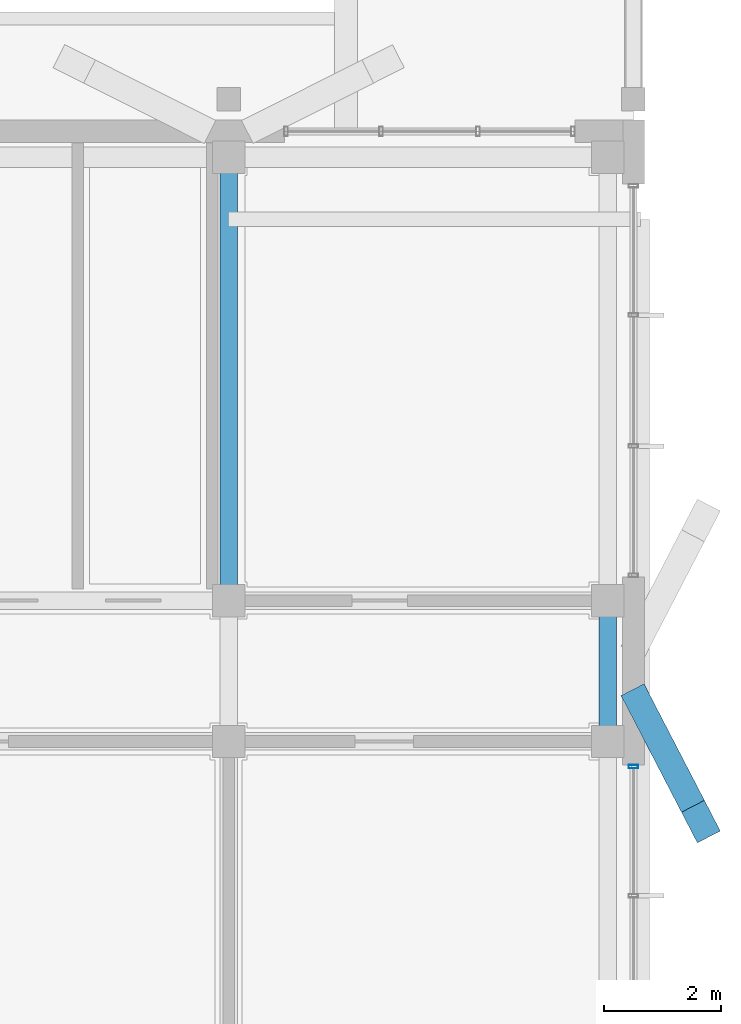
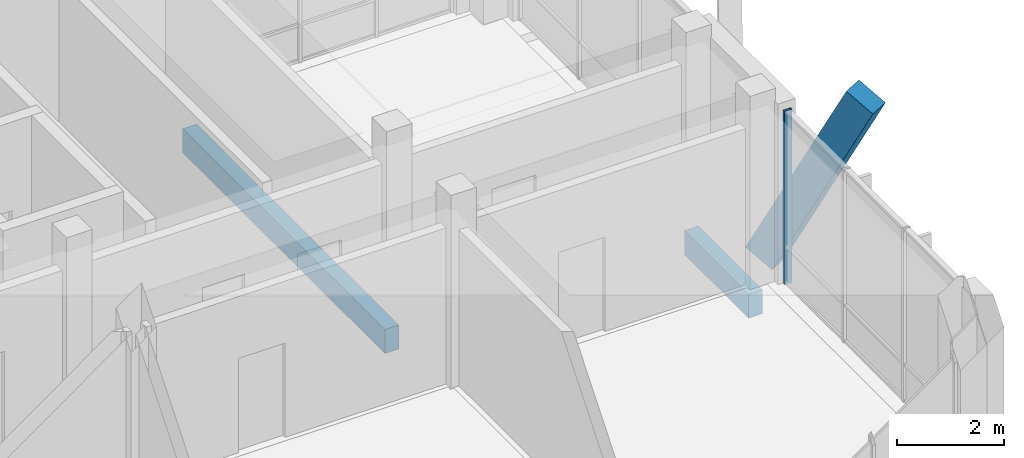
# One storey, part 145 of 233: 2 beams, 2 members, 1 element without a shape of its own.
"""IFC4 building model written with IfcOpenShell, lengths in metres."""

from ifc_helpers import new_model, si_unit, direction, frame, origin, origin_2d, place, context, subcontext, project, spatial, rectangle, hollow_rectangle, extrude, material, material_profile, profile_set, type_object, element, aggregate, save


model = new_model("IFC4")

# Units and contexts
model_context = context("Model", 3, precision=1e-05, world=origin(), true_north=direction((0.0, 1.0)))
body_context = subcontext(model_context, "Body", "Model", "MODEL_VIEW")
ifc_project = project(units=[si_unit("LENGTHUNIT", "METRE"), si_unit("AREAUNIT", "SQUARE_METRE"), si_unit("VOLUMEUNIT", "CUBIC_METRE"), si_unit("PLANEANGLEUNIT", "RADIAN"), si_unit("MASSUNIT", "GRAM", prefix="KILO")], contexts=[model_context])

# Site, building, storey
site_placement = place(None, origin())
site = spatial("IfcSite", under=ifc_project, at=site_placement, CompositionType="ELEMENT")
building_placement = place(site_placement, origin())
building = spatial("IfcBuilding", under=site, at=building_placement, Name="Zavelmont Quarter", CompositionType="ELEMENT")
storey_placement = place(building_placement, origin())
storey = spatial("IfcBuildingStorey", under=building, at=storey_placement, Name="L00", CompositionType="ELEMENT", Elevation=0.0)

# Beams
ifc_material_1 = material(Name="Concrete C35/45", Category="concrete")
ifc_material_profile_1 = material_profile(ifc_material_1, rectangle(XDim=0.300048828125, YDim=0.550048828125, at=origin_2d()), Name="RC300X550")
ifc_profile_set_1 = profile_set([ifc_material_profile_1], Name="Concrete C35/45")
beam_type = type_object("IfcBeamType", Name="BM02", PredefinedType="SPANDREL", material=ifc_profile_set_1)
beam_1_placement = place(storey_placement, frame((161.10009765625, 10.39990234375, -0.594970703125), z_axis=(0.0, 1.0, 0.0), x_axis=(-1.0, 0.0, 0.0)))
element("IfcBeam", 1, at=beam_1_placement, inside=storey, type_object=beam_type, Name="L00 beam BM02 24/C to 24/D", PredefinedType="SPANDREL", context=body_context, shape_type="SweptSolid", body=[
    extrude(rectangle(XDim=0.300048828125, YDim=0.550048828125, at=origin_2d()), origin(), (0.0, 0.0, 1.0), 7.56005859375),
])
beam_2_placement = place(storey_placement, frame((167.56005859375, 8.0, -0.594970703125), z_axis=(0.0, 1.0, 0.0), x_axis=(-1.0, 0.0, 0.0)))
element("IfcBeam", 2, at=beam_2_placement, inside=storey, type_object=beam_type, Name="L00 beam BM02 25/B to 25/C", PredefinedType="SPANDREL", context=body_context, shape_type="SweptSolid", body=[
    extrude(rectangle(XDim=0.300048828125, YDim=0.550048828125, at=origin_2d()), origin(), (0.0, 0.0, 1.0), 2.39990234375),
])

# Curtain wall, member
ifc_material_2 = material(Name="Thermally broken aluminium and double low-E safety glazing", Category="aluminium")
curtain_wall_type = type_object("IfcCurtainWallType", Name="CW-670X395", PredefinedType="NOTDEFINED", material=ifc_material_2)
curtain_wall_placement = place(storey_placement, origin())
curtain_wall = element("IfcCurtainWall", 3, at=curtain_wall_placement, inside=storey, type_object=curtain_wall_type, Name="L00 unitised curtain wall CW-670X395", PredefinedType="NOTDEFINED")
ifc_material_3 = material(Name="Powder-coated aluminium EN AW-6063-T6", Category="aluminium")
ifc_material_profile_2 = material_profile(ifc_material_3, hollow_rectangle(XDim=0.06005859375, YDim=0.159912109375, WallThickness=0.00390625, at=origin_2d()), Name="CWM60X160")
ifc_profile_set_2 = profile_set([ifc_material_profile_2], Name="Powder-coated aluminium EN AW-6063-T6")
member_type_1 = type_object("IfcMemberType", Name="CWM01", PredefinedType="MULLION", material=ifc_profile_set_2)
member_1_placement = place(storey_placement, frame((168.0, 7.570068359375, 0.0), z_axis=(0.0, 0.0, 1.0), x_axis=(0.0, 1.0, 0.0)))
member_1 = element("IfcMember", 4, at=member_1_placement, type_object=member_type_1, Name="CW-670X395 mullion 4", PredefinedType="MULLION", context=body_context, shape_type="SweptSolid", body=[
    extrude(hollow_rectangle(XDim=0.06005859375, YDim=0.159912109375, WallThickness=0.00390625, at=origin_2d()), origin(), (0.0, 0.0, 1.0), 3.949951171875),
])
aggregate(curtain_wall, [member_1])

# Member
ifc_material_4 = material(Name="White architectural precast concrete C40/50", Category="concrete")
ifc_material_profile_3 = material_profile(ifc_material_4, rectangle(XDim=0.43994140625, YDim=0.659912109375, at=origin_2d()), Name="PCR320X480")
ifc_profile_set_3 = profile_set([ifc_material_profile_3], Name="White architectural precast concrete C40/50")
member_type_2 = type_object("IfcMemberType", Name="VR01M", PredefinedType="CHORD", material=ifc_profile_set_3)
member_2_placement = place(storey_placement, frame((168.1201171875, 8.6201171875, 0.0), z_axis=(0.20860656376, -0.402574070414, 0.891300970148), x_axis=(0.887876665033, 0.460081544608, 0.0)))
element("IfcMember", 5, at=member_2_placement, inside=storey, type_object=member_type_2, Name="L00 member VR01M 25/B to 25/B", PredefinedType="CHORD", context=body_context, shape_type="SweptSolid", body=[
    extrude(rectangle(XDim=0.43994140625, YDim=0.659912109375, at=origin_2d()), origin(), (0.0, 0.0, 1.0), 4.9365234375),
])

save(model, "model.ifc")
